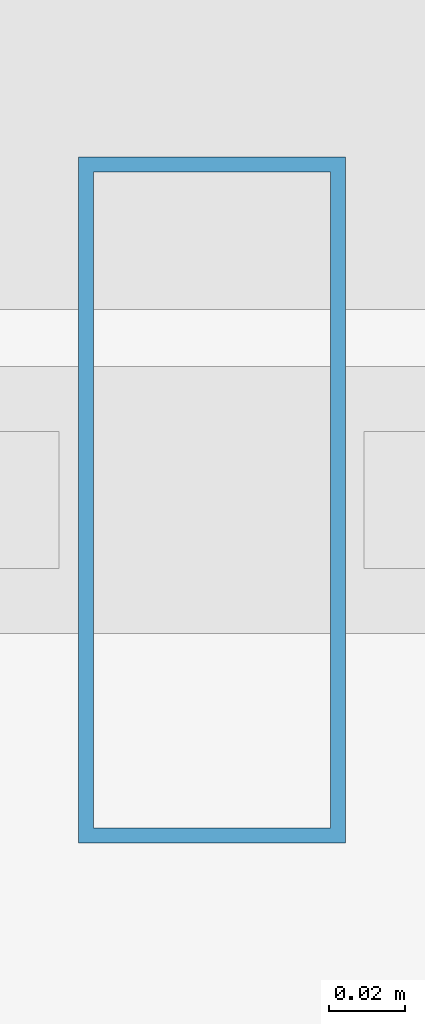
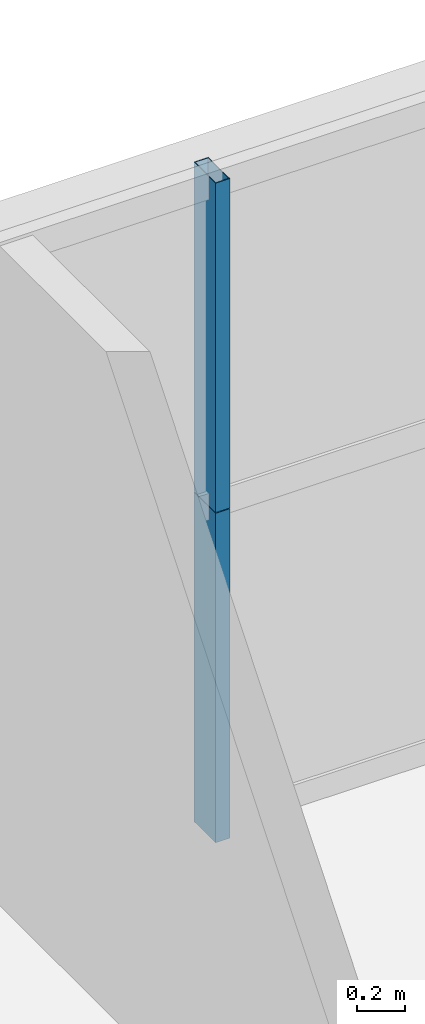
# One storey, part 36 of 45: 2 members, 1 element without a shape of its own.
"""IFC4 building model written with IfcOpenShell, lengths in metres."""

from ifc_helpers import new_model, si_unit, direction, frame, origin, origin_2d, place, context, subcontext, project, spatial, hollow_rectangle, extrude, source, transform, mapped, material, layer, layer_set, material_profile, profile_set, type_object, element, aggregate, save


model = new_model("IFC4")

# Units and contexts
model_context = context("Model", 3, precision=1e-05, world=origin(), true_north=direction((0.0, 1.0)))
body_context = subcontext(model_context, "Body", "Model", "MODEL_VIEW")
ifc_project = project(units=[si_unit("LENGTHUNIT", "METRE"), si_unit("AREAUNIT", "SQUARE_METRE"), si_unit("VOLUMEUNIT", "CUBIC_METRE"), si_unit("PLANEANGLEUNIT", "RADIAN"), si_unit("MASSUNIT", "GRAM", prefix="KILO"), si_unit("THERMODYNAMICTEMPERATUREUNIT", "KELVIN"), si_unit("POWERUNIT", "WATT")], contexts=[model_context])

# Site, building, storey
site_placement = place(None, origin())
site = spatial("IfcSite", under=ifc_project, at=site_placement, CompositionType="ELEMENT")
building_placement = place(site_placement, origin())
building = spatial("IfcBuilding", under=site, at=building_placement, Name="Yuzanri Waterfront Tower", CompositionType="ELEMENT")
storey_placement = place(building_placement, frame((0.0, 0.0, 49.60009765625)))
storey = spatial("IfcBuildingStorey", under=building, at=storey_placement, Name="L12", CompositionType="ELEMENT", Elevation=49.60009765625)

# Curtain wall, members
ifc_material_1 = material(Name="Anodized Architectural Bronze", Category="metal")
ifc_layer = layer(ifc_material_1, 0.159912109375)
ifc_layer_set = layer_set([ifc_layer], Name="Anodized Architectural Bronze")
curtain_wall_type = type_object("IfcCurtainWallType", Name="Anodized Bronze Hotel Lower-Tier Recessed Unitized Curtain Wall 8100", PredefinedType="NOTDEFINED", material=ifc_layer_set)
curtain_wall_placement = place(storey_placement, origin())
curtain_wall = element("IfcCurtainWall", 1, at=curtain_wall_placement, inside=storey, type_object=curtain_wall_type, Name="L12 Curtain Wall CW-L12-NR", PredefinedType="NOTDEFINED")
ifc_material_2 = material(Name="Anodized Architectural Bronze", Category="metal")
ifc_material_profile = material_profile(ifc_material_2, hollow_rectangle(XDim=0.070068359375, YDim=0.179931640625, WallThickness=0.00390625, at=origin_2d()), Name="CWM 70x180")
ifc_profile_set = profile_set([ifc_material_profile], Name="Anodized Architectural Bronze")
member_type = type_object("IfcMemberType", Name="Anodized Bronze Standard Curtain-Wall Mullion 70x180", PredefinedType="MULLION", material=ifc_profile_set)
shared_shape = source(origin(), body_context, "Body", "SweptSolid", [
    extrude(hollow_rectangle(XDim=0.070068359375, YDim=0.179931640625, WallThickness=0.00390625, at=origin_2d()), origin(), (0.0, 0.0, 1.0), 1.68798828125),
])
member_1_placement = place(storey_placement, frame((46.10009765625, 50.75, 0.0), z_axis=(0.0, 0.0, 1.0), x_axis=(1.0, 0.0, 0.0)))
member_1 = element("IfcMember", 2, at=member_1_placement, type_object=member_type, Name="CW-L12-NR Lower Mullion 01", PredefinedType="MULLION", context=body_context, shape_type="MappedRepresentation", body=[
    mapped(shared_shape, transform((0.0, 0.0, 0.0), scale=1.0)),
])
member_2_placement = place(storey_placement, frame((46.10009765625, 50.75, 1.69189453125), z_axis=(0.0, 0.0, 1.0), x_axis=(1.0, 0.0, 0.0)))
member_2 = element("IfcMember", 3, at=member_2_placement, type_object=member_type, Name="CW-L12-NR Upper Mullion 01", PredefinedType="MULLION", context=body_context, shape_type="MappedRepresentation", body=[
    mapped(shared_shape, transform((0.0, 0.0, 0.0), scale=1.0)),
])
aggregate(curtain_wall, [member_1, member_2])

save(model, "model.ifc")
